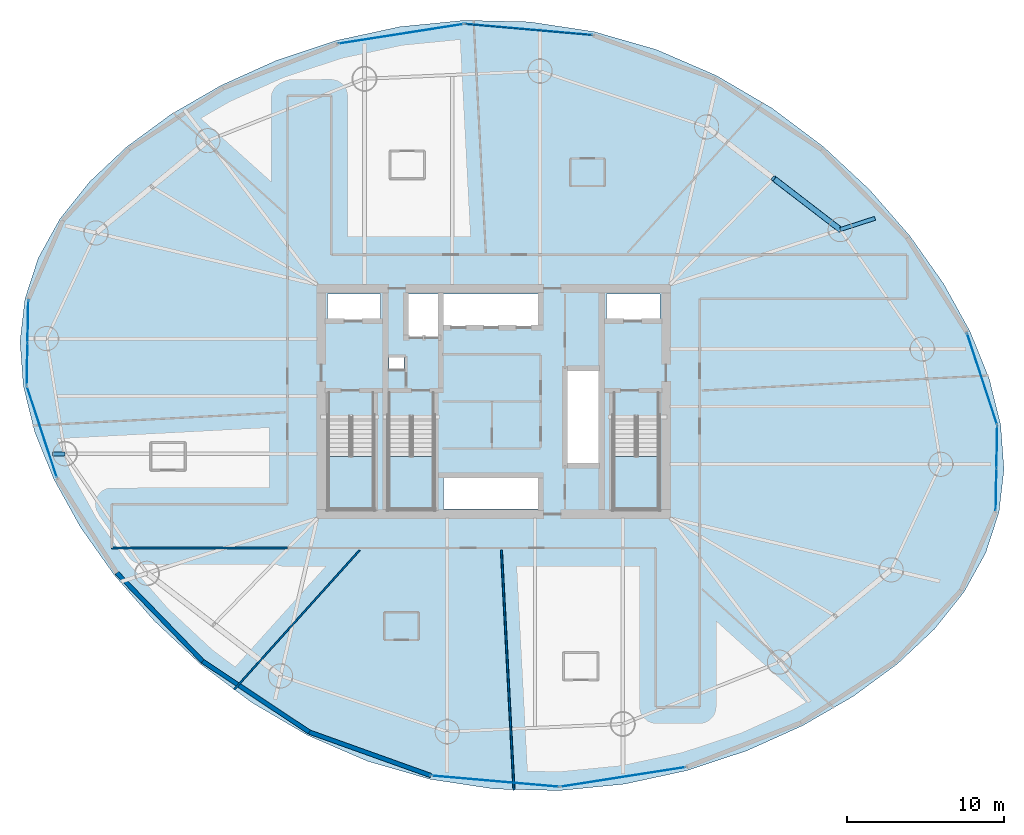
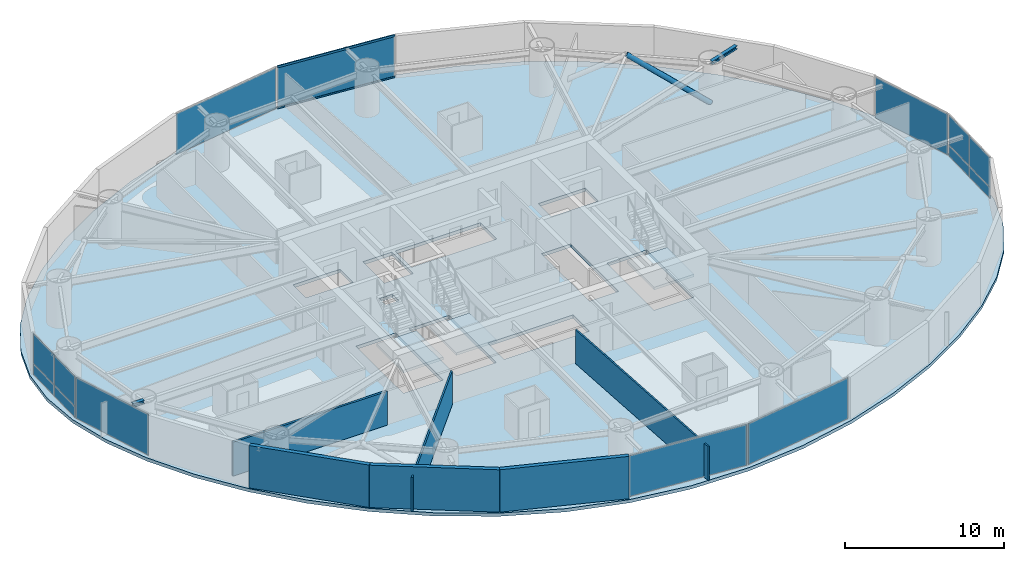
# One storey, part 17 of 24: 14 plates, 6 walls, 4 slabs, 3 members, 2 beams, 11 elements without a shape of their own.
"""IFC4 building model written with IfcOpenShell, lengths in metres."""

from ifc_helpers import new_model, si_unit, direction, frame, frame_2d, origin, origin_2d, place, context, subcontext, project, spatial, polyline, rectangle, hollow_rectangle, hollow_circle, i_section, outline, extrude, material, layer, layer_set, material_profile, profile_set, type_object, element, aggregate, save


model = new_model("IFC4")

# Units and contexts
model_context = context("Model", 3, precision=1e-05, world=origin(), true_north=direction((0.0, 1.0)))
body_context = subcontext(model_context, "Body", "Model", "MODEL_VIEW")
ifc_project = project(units=[si_unit("LENGTHUNIT", "METRE"), si_unit("AREAUNIT", "SQUARE_METRE"), si_unit("VOLUMEUNIT", "CUBIC_METRE"), si_unit("PLANEANGLEUNIT", "RADIAN"), si_unit("MASSUNIT", "GRAM", prefix="KILO")], contexts=[model_context])

# Site, building, storey
site_placement = place(None, origin())
site = spatial("IfcSite", under=ifc_project, at=site_placement, CompositionType="ELEMENT")
building_placement = place(site_placement, origin())
building = spatial("IfcBuilding", under=site, at=building_placement, Name="Bramvorn Convention Spire", CompositionType="ELEMENT")
storey_placement = place(building_placement, frame((0.0, 0.0, 83.39990234375)))
storey = spatial("IfcBuildingStorey", under=building, at=storey_placement, Name="L19", CompositionType="ELEMENT", Elevation=83.39990234375)

# Beams
ifc_material_1 = material(Name="Steel CSA G40.21 Grade 350 (350W)", Category="steel")
ifc_material_profile_1 = material_profile(ifc_material_1, i_section(OverallWidth=0.25390625, OverallDepth=0.2529296875, WebThickness=0.008544921875, FlangeThickness=0.01416015625, FilletRadius=0.011962890625, at=origin_2d()))
ifc_profile_set_1 = profile_set([ifc_material_profile_1], Name="Steel CSA G40.21 Grade 350 (350W) - W250X73")
beam_type = type_object("IfcBeamType", Name="BM-W250X73", PredefinedType="BEAM", material=ifc_profile_set_1)
beam_1_placement = place(storey_placement, frame((60.105224609375, 36.960205078125, 3.12353515625), z_axis=(0.951491383524, 0.307675392385, 0.0), x_axis=(-0.307675392385, 0.951491383524, 0.0)))
element("IfcBeam", 1, at=beam_1_placement, inside=storey, type_object=beam_type, Name="L19 slab-edge cantilever tip beam MC03", PredefinedType="BEAM", context=body_context, shape_type="SweptSolid", body=[
    extrude(i_section(OverallWidth=0.25390625, OverallDepth=0.2529296875, WebThickness=0.008544921875, FlangeThickness=0.01416015625, FilletRadius=0.011962890625, at=origin_2d()), origin(), (0.0, 0.0, 1.0), 2.3330078125),
])
beam_2_placement = place(storey_placement, frame((10.661376953125, 22.659912109375, 3.12353515625), z_axis=(-1.0, 0.0, 0.0), x_axis=(0.0, -1.0, 0.0)))
element("IfcBeam", 2, at=beam_2_placement, inside=storey, type_object=beam_type, Name="L19 slab-edge cantilever tip beam MC10", PredefinedType="BEAM", context=body_context, shape_type="SweptSolid", body=[
    extrude(i_section(OverallWidth=0.25390625, OverallDepth=0.2529296875, WebThickness=0.008544921875, FlangeThickness=0.01416015625, FilletRadius=0.011962890625, at=origin_2d()), origin(), (0.0, 0.0, 1.0), 0.800048828125),
])

# Curtain wall, members
ifc_material_2 = material(Name="Anodised Bronze Unitised Curtain Wall", Category="aluminium")
ifc_layer_1 = layer(ifc_material_2, 0.179931640625)
ifc_layer_set_1 = layer_set([ifc_layer_1], Name="Anodised Bronze Unitised Curtain Wall - CW-HTL-FRIT")
curtain_wall_type = type_object("IfcCurtainWallType", Name="CW-HTL-FRIT", PredefinedType="USERDEFINED", material=ifc_layer_set_1)
curtain_wall_1_placement = place(storey_placement, origin())
curtain_wall_1 = element("IfcCurtainWall", 3, at=curtain_wall_1_placement, inside=storey, type_object=curtain_wall_type, Name="L19 fritted glass curtain wall 07", ObjectType="UNITISED CURTAIN WALL", PredefinedType="USERDEFINED")
ifc_material_3 = material(Name="Anodised Bronze Aluminium 6063-T6", Category="aluminium")
ifc_material_profile_2 = material_profile(ifc_material_3, hollow_rectangle(XDim=0.080078125, YDim=0.159912109375, WallThickness=0.00390625, InnerFilletRadius=0.0009765625, OuterFilletRadius=0.00390625, at=origin_2d()))
ifc_profile_set_2 = profile_set([ifc_material_profile_2], Name="Anodised Bronze Aluminium 6063-T6 - CWT80X160")
member_type_1 = type_object("IfcMemberType", Name="CW-TRN-150", PredefinedType="USERDEFINED", material=ifc_profile_set_2)
member_1_placement = place(storey_placement, frame((36.191650390625, 50.06640625, 0.030029296875), z_axis=(0.996205878727, -0.08702785295, 0.0), x_axis=(0.08702785295, 0.996205878727, 0.0)))
member_1 = element("IfcMember", 4, at=member_1_placement, type_object=member_type_1, Name="CW2 transom 1.1", ObjectType="TRANSOM", PredefinedType="USERDEFINED", context=body_context, shape_type="SweptSolid", body=[
    extrude(hollow_rectangle(XDim=0.080078125, YDim=0.159912109375, WallThickness=0.00390625, InnerFilletRadius=0.0009765625, OuterFilletRadius=0.00390625, at=origin_2d()), origin(), (0.0, 0.0, 1.0), 8.121337890625),
])
member_2_placement = place(storey_placement, frame((36.191650390625, 50.06640625, 3.22021484375), z_axis=(0.996205878727, -0.08702785295, 0.0), x_axis=(0.08702785295, 0.996205878727, 0.0)))
member_2 = element("IfcMember", 5, at=member_2_placement, type_object=member_type_1, Name="CW2 transom 1.2", ObjectType="TRANSOM", PredefinedType="USERDEFINED", context=body_context, shape_type="SweptSolid", body=[
    extrude(hollow_rectangle(XDim=0.080078125, YDim=0.159912109375, WallThickness=0.00390625, InnerFilletRadius=0.0009765625, OuterFilletRadius=0.00390625, at=origin_2d()), origin(), (0.0, 0.0, 1.0), 8.121337890625),
])

# Member
ifc_material_profile_3 = material_profile(ifc_material_1, hollow_circle(Radius=0.177734375, WallThickness=0.015869140625, at=origin_2d()))
ifc_profile_set_3 = profile_set([ifc_material_profile_3], Name="Steel CSA G40.21 Grade 350 (350W) - CHS356X16")
member_type_2 = type_object("IfcMemberType", Name="MBR-CHS356X16", PredefinedType="BRACE", material=ifc_profile_set_3)
member_3_placement = place(storey_placement, frame((60.105224609375, 36.960205078125, 0.0), z_axis=(-0.67819086212, 0.521583568023, 0.517694635962), x_axis=(-0.609636070784, -0.7926814374, 0.0)))
element("IfcMember", 6, at=member_3_placement, inside=storey, type_object=member_type_2, Name="L19 perimeter Gothic lancet brace 3A", PredefinedType="BRACE", context=body_context, shape_type="SweptSolid", body=[
    extrude(hollow_circle(Radius=0.177734375, WallThickness=0.015869140625, at=origin_2d()), origin(), (0.0, 0.0, 1.0), 6.27783203125),
])

# Curtain wall, plates
curtain_wall_2_placement = place(storey_placement, origin())
curtain_wall_2 = element("IfcCurtainWall", 7, at=curtain_wall_2_placement, inside=storey, type_object=curtain_wall_type, Name="L19 fritted glass curtain wall 01", ObjectType="UNITISED CURTAIN WALL", PredefinedType="USERDEFINED")
ifc_material_4 = material(Name="Laminated Low-E Glass (Triple IGU Bronze Ceramic Frit 35%)", Category="glass")
ifc_layer_2 = layer(ifc_material_4, 0.035888671875)
ifc_layer_set_2 = layer_set([ifc_layer_2], Name="Laminated Low-E Glass (Triple IGU Bronze Ceramic Frit 35%) - PNL-IGU-1")
plate_type = type_object("IfcPlateType", Name="PNL-IGU-1", PredefinedType="CURTAIN_PANEL", material=ifc_layer_set_2)
plate_1_placement = place(storey_placement, frame((70.09765625, 23.09619140625, 0.06005859375), z_axis=(0.0, 0.0, 1.0), x_axis=(-0.018535885218, -0.999828195721, 0.0)))
plate_1 = element("IfcPlate", 8, at=plate_1_placement, type_object=plate_type, Name="CW2 panel 1.1", PredefinedType="CURTAIN_PANEL", context=body_context, shape_type="SweptSolid", body=[
    extrude(rectangle(XDim=2.65869140625, YDim=0.028076171875, at=origin_2d()), origin(), (0.0, 0.0, 1.0), 0.81005859375),
])
plate_2_placement = place(storey_placement, frame((70.09765625, 23.09619140625, 0.93017578125), z_axis=(0.0, 0.0, 1.0), x_axis=(-0.018535885218, -0.999828195721, 0.0)))
plate_2 = element("IfcPlate", 9, at=plate_2_placement, type_object=plate_type, Name="CW2 panel 1.2", PredefinedType="CURTAIN_PANEL", context=body_context, shape_type="SweptSolid", body=[
    extrude(rectangle(XDim=2.65869140625, YDim=0.028076171875, at=origin_2d()), origin(), (0.0, 0.0, 1.0), 2.260009765625),
])
plate_3_placement = place(storey_placement, frame((70.047119140625, 20.3779296875, 0.06005859375), z_axis=(0.0, 0.0, 1.0), x_axis=(-0.018535885218, -0.999828195721, 0.0)))
plate_3 = element("IfcPlate", 10, at=plate_3_placement, type_object=plate_type, Name="CW2 panel 2.1", PredefinedType="CURTAIN_PANEL", context=body_context, shape_type="SweptSolid", body=[
    extrude(rectangle(XDim=2.65869140625, YDim=0.028076171875, at=origin_2d()), origin(), (0.0, 0.0, 1.0), 0.81005859375),
])
plate_4_placement = place(storey_placement, frame((70.047119140625, 20.3779296875, 0.93017578125), z_axis=(0.0, 0.0, 1.0), x_axis=(-0.018535885218, -0.999828195721, 0.0)))
plate_4 = element("IfcPlate", 11, at=plate_4_placement, type_object=plate_type, Name="CW2 panel 2.2", PredefinedType="CURTAIN_PANEL", context=body_context, shape_type="SweptSolid", body=[
    extrude(rectangle(XDim=2.65869140625, YDim=0.028076171875, at=origin_2d()), origin(), (0.0, 0.0, 1.0), 2.260009765625),
])
aggregate(curtain_wall_2, [plate_1, plate_2, plate_3, plate_4])

# Curtain wall, plate
curtain_wall_3_placement = place(storey_placement, origin())
curtain_wall_3 = element("IfcCurtainWall", 12, at=curtain_wall_3_placement, inside=storey, type_object=curtain_wall_type, Name="L19 fritted glass curtain wall 02", ObjectType="UNITISED CURTAIN WALL", PredefinedType="USERDEFINED")
plate_5_placement = place(storey_placement, frame((69.15478515625, 27.4365234375, 0.06005859375), z_axis=(0.0, 0.0, 1.0), x_axis=(0.311844217206, -0.950133245495, 0.0)))
plate_5 = element("IfcPlate", 13, at=plate_5_placement, type_object=plate_type, Name="CW2 panel 1.1", PredefinedType="CURTAIN_PANEL", context=body_context, shape_type="SweptSolid", body=[
    extrude(rectangle(XDim=6.092041015625, YDim=0.028076171875, at=origin_2d()), origin(), (0.0, 0.0, 1.0), 3.1298828125),
])
aggregate(curtain_wall_3, [plate_5])

# Plate
plate_6_placement = place(storey_placement, frame((40.23681640625, 49.713134765625, 0.06005859375), z_axis=(0.0, 0.0, 1.0), x_axis=(0.99620512787, -0.087036447575, 0.0)))
plate_6 = element("IfcPlate", 14, at=plate_6_placement, type_object=plate_type, Name="CW2 panel 1.1", PredefinedType="CURTAIN_PANEL", context=body_context, shape_type="SweptSolid", body=[
    extrude(rectangle(XDim=8.121337890625, YDim=0.028076171875, at=origin_2d()), origin(), (0.0, 0.0, 1.0), 3.1298828125),
])

aggregate(curtain_wall_1, [member_1, member_2, plate_6])

# Curtain wall, plate
curtain_wall_4_placement = place(storey_placement, origin())
curtain_wall_4 = element("IfcCurtainWall", 15, at=curtain_wall_4_placement, inside=storey, type_object=curtain_wall_type, Name="L19 fritted glass curtain wall 08", ObjectType="UNITISED CURTAIN WALL", PredefinedType="USERDEFINED")
plate_7_placement = place(storey_placement, frame((32.09521484375, 49.44140625, 0.06005859375), z_axis=(0.0, 0.0, 1.0), x_axis=(0.98802521381, 0.154292504277, 0.0)))
plate_7 = element("IfcPlate", 16, at=plate_7_placement, type_object=plate_type, Name="CW2 panel 1.1", PredefinedType="CURTAIN_PANEL", context=body_context, shape_type="SweptSolid", body=[
    extrude(rectangle(XDim=8.05078125, YDim=0.028076171875, at=origin_2d()), origin(), (0.0, 0.0, 1.0), 3.1298828125),
])
aggregate(curtain_wall_4, [plate_7])

# Curtain wall, plates
curtain_wall_5_placement = place(storey_placement, origin())
curtain_wall_5 = element("IfcCurtainWall", 17, at=curtain_wall_5_placement, inside=storey, type_object=curtain_wall_type, Name="L19 fritted glass curtain wall 13", ObjectType="UNITISED CURTAIN WALL", PredefinedType="USERDEFINED")
plate_8_placement = place(storey_placement, frame((8.246826171875, 28.390380859375, 0.06005859375), z_axis=(0.0, 0.0, 1.0), x_axis=(0.018535885218, 0.999828195721, 0.0)))
plate_8 = element("IfcPlate", 18, at=plate_8_placement, type_object=plate_type, Name="CW2 panel 1.1", PredefinedType="CURTAIN_PANEL", context=body_context, shape_type="SweptSolid", body=[
    extrude(rectangle(XDim=2.65869140625, YDim=0.028076171875, at=origin_2d()), origin(), (0.0, 0.0, 1.0), 0.81005859375),
])
plate_9_placement = place(storey_placement, frame((8.246826171875, 28.390380859375, 0.93017578125), z_axis=(0.0, 0.0, 1.0), x_axis=(0.018535885218, 0.999828195721, 0.0)))
plate_9 = element("IfcPlate", 19, at=plate_9_placement, type_object=plate_type, Name="CW2 panel 1.2", PredefinedType="CURTAIN_PANEL", context=body_context, shape_type="SweptSolid", body=[
    extrude(rectangle(XDim=2.65869140625, YDim=0.028076171875, at=origin_2d()), origin(), (0.0, 0.0, 1.0), 2.260009765625),
])
plate_10_placement = place(storey_placement, frame((8.29736328125, 31.108642578125, 0.06005859375), z_axis=(0.0, 0.0, 1.0), x_axis=(0.018535885218, 0.999828195721, 0.0)))
plate_10 = element("IfcPlate", 20, at=plate_10_placement, type_object=plate_type, Name="CW2 panel 2.1", PredefinedType="CURTAIN_PANEL", context=body_context, shape_type="SweptSolid", body=[
    extrude(rectangle(XDim=2.65869140625, YDim=0.028076171875, at=origin_2d()), origin(), (0.0, 0.0, 1.0), 0.81005859375),
])
plate_11_placement = place(storey_placement, frame((8.29736328125, 31.108642578125, 0.93017578125), z_axis=(0.0, 0.0, 1.0), x_axis=(0.018535885218, 0.999828195721, 0.0)))
plate_11 = element("IfcPlate", 21, at=plate_11_placement, type_object=plate_type, Name="CW2 panel 2.2", PredefinedType="CURTAIN_PANEL", context=body_context, shape_type="SweptSolid", body=[
    extrude(rectangle(XDim=2.65869140625, YDim=0.028076171875, at=origin_2d()), origin(), (0.0, 0.0, 1.0), 2.260009765625),
])
aggregate(curtain_wall_5, [plate_8, plate_9, plate_10, plate_11])

# Curtain wall, plate
curtain_wall_6_placement = place(storey_placement, origin())
curtain_wall_6 = element("IfcCurtainWall", 22, at=curtain_wall_6_placement, inside=storey, type_object=curtain_wall_type, Name="L19 fritted glass curtain wall 14", ObjectType="UNITISED CURTAIN WALL", PredefinedType="USERDEFINED")
plate_12_placement = place(storey_placement, frame((9.189697265625, 24.050048828125, 0.06005859375), z_axis=(0.0, 0.0, 1.0), x_axis=(-0.311858749325, 0.95012847577, 0.0)))
plate_12 = element("IfcPlate", 23, at=plate_12_placement, type_object=plate_type, Name="CW2 panel 1.1", PredefinedType="CURTAIN_PANEL", context=body_context, shape_type="SweptSolid", body=[
    extrude(rectangle(XDim=6.092041015625, YDim=0.028076171875, at=origin_2d()), origin(), (0.0, 0.0, 1.0), 3.1298828125),
])
aggregate(curtain_wall_6, [plate_12])

curtain_wall_7_placement = place(storey_placement, origin())
curtain_wall_7 = element("IfcCurtainWall", 24, at=curtain_wall_7_placement, inside=storey, type_object=curtain_wall_type, Name="L19 fritted glass curtain wall 19", ObjectType="UNITISED CURTAIN WALL", PredefinedType="USERDEFINED")
plate_13_placement = place(storey_placement, frame((38.107666015625, 1.773681640625, 0.06005859375), z_axis=(0.0, 0.0, 1.0), x_axis=(-0.996204075714, 0.087048489533, 0.0)))
plate_13 = element("IfcPlate", 25, at=plate_13_placement, type_object=plate_type, Name="CW2 panel 1.1", PredefinedType="CURTAIN_PANEL", context=body_context, shape_type="SweptSolid", body=[
    extrude(rectangle(XDim=8.121337890625, YDim=0.028076171875, at=origin_2d()), origin(), (0.0, 0.0, 1.0), 3.1298828125),
])
aggregate(curtain_wall_7, [plate_13])

curtain_wall_8_placement = place(storey_placement, origin())
curtain_wall_8 = element("IfcCurtainWall", 26, at=curtain_wall_8_placement, inside=storey, type_object=curtain_wall_type, Name="L19 fritted glass curtain wall 20", ObjectType="UNITISED CURTAIN WALL", PredefinedType="USERDEFINED")
plate_14_placement = place(storey_placement, frame((46.249267578125, 2.04541015625, 0.06005859375), z_axis=(0.0, 0.0, 1.0), x_axis=(-0.988023056618, -0.154306317406, 0.0)))
plate_14 = element("IfcPlate", 27, at=plate_14_placement, type_object=plate_type, Name="CW2 panel 1.1", PredefinedType="CURTAIN_PANEL", context=body_context, shape_type="SweptSolid", body=[
    extrude(rectangle(XDim=8.05078125, YDim=0.028076171875, at=origin_2d()), origin(), (0.0, 0.0, 1.0), 3.1298828125),
])
aggregate(curtain_wall_8, [plate_14])

# Stair, slab
ifc_material_5 = material(Name="Concrete C40/50 Precast Stair", Category="concrete")
stair_type = type_object("IfcStairType", Name="ST-TOWER-1550", PredefinedType="HALF_TURN_STAIR", material=ifc_material_5)
stair_1_placement = place(storey_placement, origin())
stair_1 = element("IfcStair", 28, at=stair_1_placement, inside=storey, type_object=stair_type, Name="L19 Protected Exit Stair ST1", PredefinedType="HALF_TURN_STAIR")
ifc_material_6 = material(Name="Concrete C40/50 Stair Landing", Category="concrete")
ifc_layer_3 = layer(ifc_material_6, 0.219970703125)
ifc_layer_set_3 = layer_set([ifc_layer_3], Name="Concrete C40/50 Stair Landing - SLB-STAIR-LANDING")
slab_type_1 = type_object("IfcSlabType", Name="SLB-STAIR-LANDING", PredefinedType="LANDING", material=ifc_layer_set_3)
slab_1_placement = place(storey_placement, frame((0.0, 0.0, 1.550048828125)))
slab_1 = element("IfcSlab", 29, at=slab_1_placement, type_object=slab_type_1, Name="ST1 landing 1", PredefinedType="LANDING", context=body_context, shape_type="SweptSolid", body=[
    extrude(outline(polyline([(27.449951171875, 22.485107421875), (27.449951171875, 19.10009765625), (30.35009765625, 19.10009765625), (30.35009765625, 22.485107421875), (27.449951171875, 22.485107421875)])), origin(), (0.0, 0.0, 1.0), 0.199951171875),
])
aggregate(stair_1, [slab_1])

stair_2_placement = place(storey_placement, origin())
stair_2 = element("IfcStair", 30, at=stair_2_placement, inside=storey, type_object=stair_type, Name="L19 Protected Exit Stair ST2", PredefinedType="HALF_TURN_STAIR")
slab_2_placement = place(storey_placement, frame((0.0, 0.0, 1.550048828125)))
slab_2 = element("IfcSlab", 31, at=slab_2_placement, type_object=slab_type_1, Name="ST2 landing 1", PredefinedType="LANDING", context=body_context, shape_type="SweptSolid", body=[
    extrude(outline(polyline([(45.64990234375, 22.485107421875), (45.64990234375, 19.10009765625), (48.550048828125, 19.10009765625), (48.550048828125, 22.485107421875), (45.64990234375, 22.485107421875)])), origin(), (0.0, 0.0, 1.0), 0.199951171875),
])
aggregate(stair_2, [slab_2])

stair_3_placement = place(storey_placement, origin())
stair_3 = element("IfcStair", 32, at=stair_3_placement, inside=storey, type_object=stair_type, Name="L19 Protected Exit Stair ST3", PredefinedType="HALF_TURN_STAIR")
slab_3_placement = place(storey_placement, frame((0.0, 0.0, 1.550048828125)))
slab_3 = element("IfcSlab", 33, at=slab_3_placement, type_object=slab_type_1, Name="ST3 landing 1", PredefinedType="LANDING", context=body_context, shape_type="SweptSolid", body=[
    extrude(outline(polyline([(31.300048828125, 22.485107421875), (31.300048828125, 19.10009765625), (34.199951171875, 19.10009765625), (34.199951171875, 22.485107421875), (31.300048828125, 22.485107421875)])), origin(), (0.0, 0.0, 1.0), 0.199951171875),
])
aggregate(stair_3, [slab_3])

# Slab
ifc_material_7 = material(Name="Concrete C50/60", Category="concrete")
ifc_layer_4 = layer(ifc_material_7, 0.25)
ifc_layer_set_4 = layer_set([ifc_layer_4], Name="Concrete C50/60 - SLB-Z1-250")
slab_type_2 = type_object("IfcSlabType", Name="SLB-Z1-250", PredefinedType="FLOOR", material=ifc_layer_set_4)
slab_4_placement = place(storey_placement, frame((0.0, 0.0, -0.25)))
element("IfcSlab", 34, at=slab_4_placement, inside=storey, type_object=slab_type_2, Name="L19 tower floor slab", PredefinedType="FLOOR", context=body_context, shape_type="SweptSolid", body=[
    extrude(outline(polyline([(70.236328125, 18.94189453125), (70.552734375, 21.658935546875), (70.34228515625, 24.49169921875), (69.616943359375, 27.43017578125), (68.394775390625, 30.4501953125), (66.69873046875, 33.5087890625), (64.555908203125, 36.544921875), (61.997314453125, 39.48046875), (59.057861328125, 42.2265625), (55.7783203125, 44.69091796875), (52.20458984375, 46.78515625), (48.3896484375, 48.43505859375), (44.392578125, 49.58642578125), (40.2802734375, 50.210693359375), (36.124755859375, 50.305908203125), (32.0029296875, 49.896484375), (27.993896484375, 49.028076171875), (24.17578125, 47.76123046875), (20.62451171875, 46.16357421875), (17.4091796875, 44.30078125), (14.590087890625, 42.230712890625), (12.218017578125, 39.997802734375), (10.3310546875, 37.631103515625), (8.9560546875, 35.1455078125), (8.108154296875, 32.544921875), (7.791748046875, 29.82763671875), (8.002197265625, 26.9951171875), (8.7275390625, 24.056396484375), (9.94970703125, 21.03662109375), (11.645751953125, 17.97802734375), (13.78857421875, 14.94189453125), (16.347412109375, 12.00634765625), (19.28662109375, 9.260009765625), (22.566162109375, 6.7958984375), (26.1396484375, 4.701416015625), (29.954833984375, 3.051513671875), (33.951904296875, 1.900146484375), (38.064208984375, 1.27587890625), (42.2197265625, 1.180908203125), (46.341552734375, 1.590087890625), (50.3505859375, 2.45849609375), (54.168701171875, 3.725341796875), (57.719970703125, 5.3232421875), (60.935302734375, 7.18603515625), (63.75439453125, 9.256103515625), (66.126708984375, 11.489013671875), (68.013427734375, 13.85546875), (69.388427734375, 16.341064453125), (70.236328125, 18.94189453125)]), holes=[polyline([(27.449951171875, 25.050048828125), (27.449951171875, 19.10009765625), (30.35009765625, 19.10009765625), (30.35009765625, 25.050048828125), (27.449951171875, 25.050048828125)]), polyline([(45.64990234375, 25.050048828125), (45.64990234375, 19.10009765625), (48.550048828125, 19.10009765625), (48.550048828125, 25.050048828125), (45.64990234375, 25.050048828125)]), polyline([(31.300048828125, 25.050048828125), (31.300048828125, 19.10009765625), (34.199951171875, 19.10009765625), (34.199951171875, 25.050048828125), (31.300048828125, 25.050048828125)]), polyline([(27.39990234375, 31.219970703125), (30.800048828125, 31.219970703125), (30.800048828125, 32.85009765625), (27.39990234375, 32.85009765625), (27.39990234375, 31.219970703125)]), polyline([(45.199951171875, 31.219970703125), (48.60009765625, 31.219970703125), (48.60009765625, 32.85009765625), (45.199951171875, 32.85009765625), (45.199951171875, 31.219970703125)]), polyline([(32.449951171875, 30.14990234375), (34.56005859375, 30.14990234375), (34.56005859375, 32.85009765625), (32.449951171875, 32.85009765625), (32.449951171875, 30.14990234375)]), polyline([(34.800048828125, 30.800048828125), (40.97998046875, 30.800048828125), (40.97998046875, 32.85009765625), (34.800048828125, 32.85009765625), (34.800048828125, 30.800048828125)]), polyline([(34.800048828125, 19.14990234375), (40.97998046875, 19.14990234375), (40.97998046875, 21.199951171875), (34.800048828125, 21.199951171875), (34.800048828125, 19.14990234375)]), polyline([(42.6201171875, 22.0), (44.75, 22.0), (44.75, 28.0), (42.6201171875, 28.0), (42.6201171875, 22.0)]), polyline([(31.320068359375, 28.02001953125), (32.280029296875, 28.02001953125), (32.280029296875, 28.820068359375), (31.320068359375, 28.820068359375), (31.320068359375, 28.02001953125)])]), origin(), (0.0, 0.0, 1.0), 0.25),
])

# Walls
ifc_material_8 = material(Name="Precast Concrete C40/50 with Bronze Terracotta Rainscreen", Category="masonry")
ifc_layer_5 = layer(ifc_material_8, 0.300048828125)
ifc_layer_set_5 = layer_set([ifc_layer_5], Name="Precast Concrete C40/50 with Bronze Terracotta Rainscreen - WL-EXT-BRONZE-300")
wall_type_1 = type_object("IfcWallType", Name="WL-EXT-BRONZE-300", PredefinedType="SOLIDWALL", material=ifc_layer_set_5)
wall_1_placement = place(storey_placement, frame((19.436279296875, 9.43017578125, 0.0), z_axis=(0.0, 0.0, 1.0), x_axis=(-0.696319820972, 0.717731639906, 0.0)))
element("IfcWall", 35, at=wall_1_placement, inside=storey, type_object=wall_type_1, Name="L19 expressed bronze Gothic lancet pier wall 16", PredefinedType="SOLIDWALL", context=body_context, shape_type="SweptSolid", body=[
    extrude(rectangle(XDim=7.8447265625, YDim=0.280029296875, at=frame_2d((3.92236328125, 0.0))), origin(), (0.0, 0.0, 1.0), 3.25),
])
wall_2_placement = place(storey_placement, frame((26.243896484375, 4.911376953125, 0.0), z_axis=(0.0, 0.0, 1.0), x_axis=(-0.833156470186, 0.553037337064, 0.0)))
element("IfcWall", 36, at=wall_2_placement, inside=storey, type_object=wall_type_1, Name="L19 expressed bronze Gothic lancet pier wall 17", PredefinedType="SOLIDWALL", context=body_context, shape_type="SweptSolid", body=[
    extrude(rectangle(XDim=8.1708984375, YDim=0.280029296875, at=frame_2d((4.08544921875, 0.0))), origin(), (0.0, 0.0, 1.0), 3.25),
])
wall_3_placement = place(storey_placement, frame((34.002685546875, 2.13232421875, 0.0), z_axis=(0.0, 0.0, 1.0), x_axis=(-0.941431874185, 0.337203241782, 0.0)))
element("IfcWall", 37, at=wall_3_placement, inside=storey, type_object=wall_type_1, Name="L19 expressed bronze Gothic lancet pier wall 18", PredefinedType="SOLIDWALL", context=body_context, shape_type="SweptSolid", body=[
    extrude(rectangle(XDim=8.241455078125, YDim=0.280029296875, at=frame_2d((4.12060546875, 0.0))), origin(), (0.0, 0.0, 1.0), 3.25),
])
ifc_material_9 = material(Name="Lightweight En-Suite & Wet-Wall Partition", Category="gypsum")
ifc_layer_6 = layer(ifc_material_9, 0.110107421875)
ifc_layer_set_6 = layer_set([ifc_layer_6], Name="Lightweight En-Suite & Wet-Wall Partition - WL-PART-110")
wall_type_2 = type_object("IfcWallType", Name="WL-PART-110", PredefinedType="PARTITIONING", material=ifc_layer_set_6)
wall_4_placement = place(storey_placement, frame((29.455078125, 16.510009765625, 0.0), z_axis=(0.0, 0.0, 1.0), x_axis=(-0.669127933847, -0.743147231809, 0.0)))
element("IfcWall", 38, at=wall_4_placement, inside=storey, type_object=wall_type_2, Name="L19 Guestroom demising wall 6", PredefinedType="PARTITIONING", context=body_context, shape_type="SweptSolid", body=[
    extrude(rectangle(XDim=11.98291015625, YDim=0.110107421875, at=frame_2d((5.991455078125, 0.0))), origin(), (0.0, 0.0, 1.0), 2.60009765625),
])
wall_5_placement = place(storey_placement, frame((38.497314453125, 16.510009765625, 0.0), z_axis=(0.0, 0.0, 1.0), x_axis=(0.052333766551, -0.998629649509, 0.0)))
element("IfcWall", 39, at=wall_5_placement, inside=storey, type_object=wall_type_2, Name="L19 Guestroom demising wall 7", PredefinedType="PARTITIONING", context=body_context, shape_type="SweptSolid", body=[
    extrude(rectangle(XDim=15.3154296875, YDim=0.110107421875, at=frame_2d((7.65771484375, 0.0))), origin(), (0.0, 0.0, 1.0), 2.60009765625),
])
ifc_material_10 = material(Name="Acoustic Metal-Stud Tenant/Corridor Partition", Category="gypsum")
ifc_layer_7 = layer(ifc_material_10, 0.14990234375)
ifc_layer_set_7 = layer_set([ifc_layer_7], Name="Acoustic Metal-Stud Tenant/Corridor Partition - WL-PART-150")
wall_type_3 = type_object("IfcWallType", Name="WL-PART-150", PredefinedType="PARTITIONING", material=ifc_layer_set_7)
wall_6_placement = place(storey_placement, frame((13.638671875, 16.64990234375, 0.0), z_axis=(0.0, 0.0, 1.0), x_axis=(1.0, 0.0, 0.0)))
element("IfcWall", 40, at=wall_6_placement, inside=storey, type_object=wall_type_3, Name="L19 SW pinwheel wing south wall", PredefinedType="PARTITIONING", context=body_context, shape_type="SweptSolid", body=[
    extrude(rectangle(XDim=11.21142578125, YDim=0.14990234375, at=frame_2d((5.605712890625, 0.0))), origin(), (0.0, 0.0, 1.0), 2.60009765625),
])

save(model, "model.ifc")
